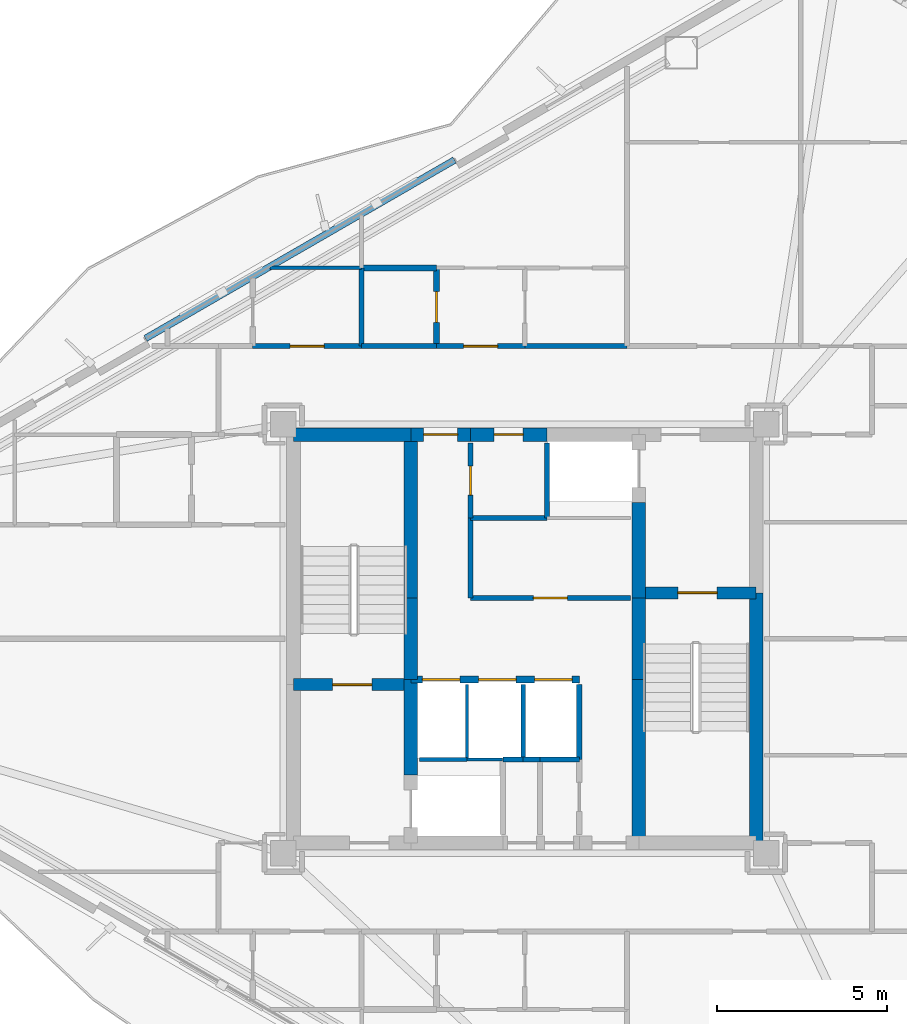
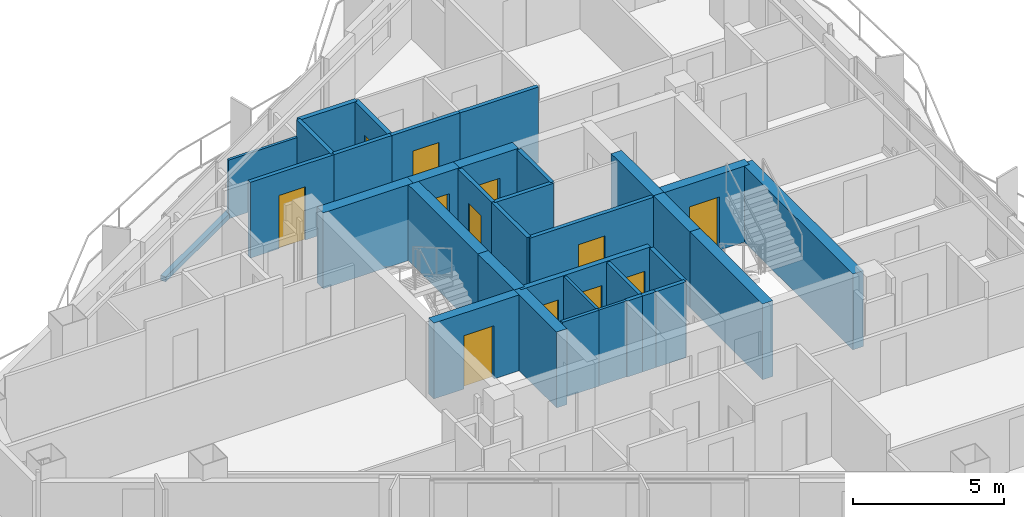
# One storey, part 14 of 18: 35 walls, 12 doors, 12 openings.
"""IFC4 building model written with IfcOpenShell, lengths in metres."""

from ifc_helpers import new_model, si_unit, direction, frame, frame_2d, origin, place, context, subcontext, project, spatial, rectangle, extrude, material, layer, layer_set, type_object, element, fill, save


model = new_model("IFC4")

# Units and contexts
model_context = context("Model", 3, precision=1e-05, world=origin(), true_north=direction((0.0, 1.0)))
body_context = subcontext(model_context, "Body", "Model", "MODEL_VIEW")
ifc_project = project(units=[si_unit("LENGTHUNIT", "METRE"), si_unit("AREAUNIT", "SQUARE_METRE"), si_unit("VOLUMEUNIT", "CUBIC_METRE"), si_unit("PLANEANGLEUNIT", "RADIAN"), si_unit("MASSUNIT", "GRAM", prefix="KILO")], contexts=[model_context])

# Site, building, storey
site_placement = place(None, origin())
site = spatial("IfcSite", under=ifc_project, at=site_placement, CompositionType="ELEMENT")
building_placement = place(site_placement, origin())
building = spatial("IfcBuilding", under=site, at=building_placement, Name="Mersakhor Tower and Convention Hall", CompositionType="ELEMENT")
storey_placement = place(building_placement, frame((0.0, 0.0, 154.199951171875)))
storey = spatial("IfcBuildingStorey", under=building, at=storey_placement, Name="L43", CompositionType="ELEMENT", Elevation=154.199951171875)

# Wall
ifc_material_1 = material(Name="Precast concrete C40/50", Category="concrete")
ifc_layer_1 = layer(ifc_material_1, 0.199951171875)
ifc_layer_set_1 = layer_set([ifc_layer_1], Name="Precast concrete C40/50")
wall_type_1 = type_object("IfcWallType", Name="WL-PAR-200", PredefinedType="PARAPET", material=ifc_layer_set_1)
wall_1_placement = place(storey_placement, frame((17.849853515625, 35.57666015625, 0.0), z_axis=(0.0, 0.0, 1.0), x_axis=(0.866026619769, 0.499997893847, 0.0)))
element("IfcWall", 1, at=wall_1_placement, inside=storey, type_object=wall_type_1, Name="L43 Curtain Wall Upstand Sill F1-B2", PredefinedType="PARAPET", context=body_context, shape_type="SweptSolid", body=[
    extrude(rectangle(XDim=10.48583984375, YDim=0.199951171875, at=frame_2d((5.242919921875, 0.0))), origin(), (0.0, 0.0, 1.0), 0.199951171875),
])

# Wall, opening, door
ifc_material_2 = material(Name="Moisture-resistant acoustic drywall studwork", Category="other")
ifc_layer_2 = layer(ifc_material_2, 0.175048828125)
ifc_layer_set_2 = layer_set([ifc_layer_2], Name="Moisture-resistant acoustic drywall studwork")
wall_type_2 = type_object("IfcWallType", Name="WL-PLM-175", PredefinedType="PLUMBINGWALL", material=ifc_layer_set_2)
wall_2_placement = place(storey_placement, frame((26.39990234375, 35.35009765625, 0.0), z_axis=(0.0, 0.0, 1.0), x_axis=(0.0, 1.0, 0.0)))
wall_2 = element("IfcWall", 2, at=wall_2_placement, inside=storey, type_object=wall_type_2, Name="L43 Interior Partition Wall P-054", PredefinedType="PLUMBINGWALL", context=body_context, shape_type="SweptSolid", body=[
    extrude(rectangle(XDim=2.2998046875, YDim=0.175048828125, at=frame_2d((1.14990234375, 0.0))), origin(), (0.0, 0.0, 1.0), 3.06005859375),
])
opening_1_placement = place(wall_2_placement, frame((0.699951171875, 0.0, 0.0)))
opening_1 = element("IfcOpeningElement", 3, at=opening_1_placement, cuts=wall_2, Name="Opening WD-01", PredefinedType="OPENING", context=body_context, shape_type="SweptSolid", body=[
    extrude(rectangle(XDim=0.89990234375, YDim=2.10009765625, at=frame_2d((0.449951171875, 1.050048828125))), frame((0.0, 0.097412109375, 0.0), z_axis=(0.0, -1.0, 0.0), x_axis=(1.0, 0.0, 0.0)), (0.0, 0.0, 1.0), 0.195068359375),
])
ifc_material_3 = material(Name="Solid-core hardwood leaf in painted steel frame", Category="steel")
door_type_1 = type_object("IfcDoorType", Name="DR-INT-WET-090x210", OperationType="NOTDEFINED", PredefinedType="DOOR", material=ifc_material_3)
door_1_placement = place(opening_1_placement, origin())
door_1 = element("IfcDoor", 4, at=door_1_placement, inside=storey, type_object=door_type_1, Name="L43 L43 Flat N2 Apartment Hall to L43 Flat N2 Bathroom Door", OperationType="SINGLE_SWING_RIGHT", OverallHeight=2.10009765625, OverallWidth=0.89990234375, PredefinedType="DOOR", context=body_context, shape_type="SweptSolid", body=[
    extrude(rectangle(XDim=0.89990234375, YDim=2.10009765625, at=frame_2d((0.449951171875, 1.050048828125))), frame((0.0, 0.02490234375, 0.0), z_axis=(0.0, -1.0, 0.0), x_axis=(1.0, 0.0, 0.0)), (0.0, 0.0, 1.0), 0.050048828125),
])
fill(opening_1, door_1)

# Walls
wall_3_placement = place(storey_placement, frame((24.199951171875, 37.64990234375, 0.0), z_axis=(0.0, 0.0, 1.0), x_axis=(1.0, 0.0, 0.0)))
element("IfcWall", 5, at=wall_3_placement, inside=storey, type_object=wall_type_2, Name="L43 Interior Partition Wall P-063", PredefinedType="PLUMBINGWALL", context=body_context, shape_type="SweptSolid", body=[
    extrude(rectangle(XDim=2.199951171875, YDim=0.175048828125, at=frame_2d((1.10009765625, 0.0))), origin(), (0.0, 0.0, 1.0), 3.06005859375),
])
ifc_material_4 = material(Name="Lightweight gypsum partition", Category="other")
ifc_layer_3 = layer(ifc_material_4, 0.10009765625)
ifc_layer_set_3 = layer_set([ifc_layer_3], Name="Lightweight gypsum partition")
wall_type_3 = type_object("IfcWallType", Name="WL-PRT-100", PredefinedType="PARTITIONING", material=ifc_layer_set_3)
wall_4_placement = place(storey_placement, frame((27.300048828125, 23.199951171875, 0.0), z_axis=(0.0, 0.0, 1.0), x_axis=(1.0, 0.0, 0.0)))
element("IfcWall", 6, at=wall_4_placement, inside=storey, type_object=wall_type_3, Name="L43 Interior Partition Wall P-002", PredefinedType="PARTITIONING", context=body_context, shape_type="SweptSolid", body=[
    extrude(rectangle(XDim=1.050048828125, YDim=0.10009765625, at=frame_2d((0.52490234375, 0.0))), origin(), (0.0, 0.0, 1.0), 3.06005859375),
])
wall_5_placement = place(storey_placement, frame((27.300048828125, 25.39990234375, 0.0), z_axis=(0.0, 0.0, 1.0), x_axis=(0.0, -1.0, 0.0)))
element("IfcWall", 7, at=wall_5_placement, inside=storey, type_object=wall_type_3, Name="L43 Interior Partition Wall P-006", PredefinedType="PARTITIONING", context=body_context, shape_type="SweptSolid", body=[
    extrude(rectangle(XDim=2.199951171875, YDim=0.10009765625, at=frame_2d((1.10009765625, 0.0))), origin(), (0.0, 0.0, 1.0), 3.06005859375),
])
wall_6_placement = place(storey_placement, frame((21.510009765625, 37.64990234375, 0.0), z_axis=(0.0, 0.0, 1.0), x_axis=(1.0, 0.0, 0.0)))
element("IfcWall", 8, at=wall_6_placement, inside=storey, type_object=wall_type_3, Name="L43 Interior Partition Wall P-110", PredefinedType="PARTITIONING", context=body_context, shape_type="SweptSolid", body=[
    extrude(rectangle(XDim=2.68994140625, YDim=0.10009765625, at=frame_2d((1.344970703125, 0.0))), origin(), (0.0, 0.0, 1.0), 2.364990234375),
])
ifc_material_5 = material(Name="Gypsum board acoustic partition", Category="other")
ifc_layer_4 = layer(ifc_material_5, 0.125)
ifc_layer_set_4 = layer_set([ifc_layer_4], Name="Gypsum board acoustic partition")
wall_type_4 = type_object("IfcWallType", Name="WL-PRT-125", PredefinedType="PARTITIONING", material=ifc_layer_set_4)
wall_7_placement = place(storey_placement, frame((25.89990234375, 23.199951171875, 0.0), z_axis=(0.0, 0.0, 1.0), x_axis=(1.0, 0.0, 0.0)))
element("IfcWall", 9, at=wall_7_placement, inside=storey, type_object=wall_type_4, Name="L43 Interior Partition Wall P-001", PredefinedType="PARTITIONING", context=body_context, shape_type="SweptSolid", body=[
    extrude(rectangle(XDim=1.400146484375, YDim=0.125, at=frame_2d((0.7001953125, 0.0))), origin(), (0.0, 0.0, 1.0), 3.06005859375),
])
wall_8_placement = place(storey_placement, frame((28.949951171875, 25.39990234375, 0.0), z_axis=(0.0, 0.0, 1.0), x_axis=(0.0, -1.0, 0.0)))
element("IfcWall", 10, at=wall_8_placement, inside=storey, type_object=wall_type_4, Name="L43 Interior Partition Wall P-007", PredefinedType="PARTITIONING", context=body_context, shape_type="SweptSolid", body=[
    extrude(rectangle(XDim=2.199951171875, YDim=0.125, at=frame_2d((1.10009765625, 0.0))), origin(), (0.0, 0.0, 1.0), 3.06005859375),
])
ifc_material_6 = material(Name="Fire-rated gypsum board stud partition", Category="other")
ifc_layer_5 = layer(ifc_material_6, 0.14990234375)
ifc_layer_set_5 = layer_set([ifc_layer_5], Name="Fire-rated gypsum board stud partition")
wall_type_5 = type_object("IfcWallType", Name="WL-PRT-150", PredefinedType="PARTITIONING", material=ifc_layer_set_5)
wall_9_placement = place(storey_placement, frame((29.64990234375, 30.300048828125, 0.0), z_axis=(0.0, 0.0, 1.0), x_axis=(0.0, 1.0, 0.0)))
element("IfcWall", 11, at=wall_9_placement, inside=storey, type_object=wall_type_5, Name="L43 Interior Partition Wall P-005", PredefinedType="PARTITIONING", context=body_context, shape_type="SweptSolid", body=[
    extrude(rectangle(XDim=2.199951171875, YDim=0.14990234375, at=frame_2d((1.10009765625, 0.0))), origin(), (0.0, 0.0, 1.0), 3.06005859375),
])
wall_10_placement = place(storey_placement, frame((28.949951171875, 23.199951171875, 0.0), z_axis=(0.0, 0.0, 1.0), x_axis=(-1.0, 0.0, 0.0)))
element("IfcWall", 12, at=wall_10_placement, inside=storey, type_object=wall_type_5, Name="L43 Interior Partition Wall P-008", PredefinedType="PARTITIONING", context=body_context, shape_type="SweptSolid", body=[
    extrude(rectangle(XDim=0.599853515625, YDim=0.14990234375, at=frame_2d((0.2998046875, 0.0))), origin(), (0.0, 0.0, 1.0), 3.06005859375),
])
wall_11_placement = place(storey_placement, frame((30.60009765625, 25.39990234375, 0.0), z_axis=(0.0, 0.0, 1.0), x_axis=(0.0, -1.0, 0.0)))
element("IfcWall", 13, at=wall_11_placement, inside=storey, type_object=wall_type_5, Name="L43 Interior Partition Wall P-009", PredefinedType="PARTITIONING", context=body_context, shape_type="SweptSolid", body=[
    extrude(rectangle(XDim=2.199951171875, YDim=0.14990234375, at=frame_2d((1.10009765625, 0.0))), origin(), (0.0, 0.0, 1.0), 3.06005859375),
])
wall_12_placement = place(storey_placement, frame((30.60009765625, 23.199951171875, 0.0), z_axis=(0.0, 0.0, 1.0), x_axis=(-1.0, 0.0, 0.0)))
element("IfcWall", 14, at=wall_12_placement, inside=storey, type_object=wall_type_5, Name="L43 Interior Partition Wall P-010", PredefinedType="PARTITIONING", context=body_context, shape_type="SweptSolid", body=[
    extrude(rectangle(XDim=1.150146484375, YDim=0.14990234375, at=frame_2d((0.5751953125, 0.0))), origin(), (0.0, 0.0, 1.0), 3.06005859375),
])
wall_13_placement = place(storey_placement, frame((29.449951171875, 23.199951171875, 0.0), z_axis=(0.0, 0.0, 1.0), x_axis=(-1.0, 0.0, 0.0)))
element("IfcWall", 15, at=wall_13_placement, inside=storey, type_object=wall_type_5, Name="L43 Interior Partition Wall P-011", PredefinedType="PARTITIONING", context=body_context, shape_type="SweptSolid", body=[
    extrude(rectangle(XDim=0.5, YDim=0.14990234375, at=frame_2d((0.25, 0.0))), origin(), (0.0, 0.0, 1.0), 3.06005859375),
])

# Wall, opening, door
wall_14_placement = place(storey_placement, frame((27.39990234375, 32.5, 0.0), z_axis=(0.0, 0.0, 1.0), x_axis=(0.0, -1.0, 0.0)))
wall_14 = element("IfcWall", 16, at=wall_14_placement, inside=storey, type_object=wall_type_5, Name="L43 Interior Partition Wall P-013", PredefinedType="PARTITIONING", context=body_context, shape_type="SweptSolid", body=[
    extrude(rectangle(XDim=2.199951171875, YDim=0.14990234375, at=frame_2d((1.10009765625, 0.0))), origin(), (0.0, 0.0, 1.0), 3.06005859375),
])
opening_2_placement = place(wall_14_placement, frame((0.675048828125, 0.0, 0.0)))
opening_2 = element("IfcOpeningElement", 17, at=opening_2_placement, cuts=wall_14, Name="Opening SVD-01", PredefinedType="OPENING", context=body_context, shape_type="SweptSolid", body=[
    extrude(rectangle(XDim=0.85009765625, YDim=2.10009765625, at=frame_2d((0.425048828125, 1.050048828125))), frame((0.0, 0.0849609375, 0.0), z_axis=(0.0, -1.0, 0.0), x_axis=(1.0, 0.0, 0.0)), (0.0, 0.0, 1.0), 0.169921875),
])
ifc_material_7 = material(Name="Fire-rated hardwood leaf and painted steel frame", Category="steel")
door_type_2 = type_object("IfcDoorType", Name="DR-INT-SVC-085x210", OperationType="NOTDEFINED", PredefinedType="DOOR", material=ifc_material_7)
door_2_placement = place(opening_2_placement, origin())
door_2 = element("IfcDoor", 18, at=door_2_placement, inside=storey, type_object=door_type_2, Name="L43 Central Passenger Lift Lobby to High-Zone Telecoms Room Door", OperationType="SINGLE_SWING_RIGHT", OverallHeight=2.10009765625, OverallWidth=0.85009765625, PredefinedType="DOOR", context=body_context, shape_type="SweptSolid", body=[
    extrude(rectangle(XDim=0.85009765625, YDim=2.10009765625, at=frame_2d((0.425048828125, 1.050048828125))), frame((0.0, 0.02490234375, 0.0), z_axis=(0.0, -1.0, 0.0), x_axis=(1.0, 0.0, 0.0)), (0.0, 0.0, 1.0), 0.050048828125),
])
fill(opening_2, door_2)

# Wall
wall_15_placement = place(storey_placement, frame((27.39990234375, 30.300048828125, 0.0), z_axis=(0.0, 0.0, 1.0), x_axis=(0.0, -1.0, 0.0)))
element("IfcWall", 19, at=wall_15_placement, inside=storey, type_object=wall_type_5, Name="L43 Interior Partition Wall P-014", PredefinedType="PARTITIONING", context=body_context, shape_type="SweptSolid", body=[
    extrude(rectangle(XDim=2.35009765625, YDim=0.14990234375, at=frame_2d((1.175048828125, 0.0))), origin(), (0.0, 0.0, 1.0), 3.06005859375),
])

# Wall, opening, door
wall_16_placement = place(storey_placement, frame((27.39990234375, 27.949951171875, 0.0), z_axis=(0.0, 0.0, 1.0), x_axis=(1.0, 0.0, 0.0)))
wall_16 = element("IfcWall", 20, at=wall_16_placement, inside=storey, type_object=wall_type_5, Name="L43 Interior Partition Wall P-015", PredefinedType="PARTITIONING", context=body_context, shape_type="SweptSolid", body=[
    extrude(rectangle(XDim=4.7001953125, YDim=0.14990234375, at=frame_2d((2.35009765625, 0.0))), origin(), (0.0, 0.0, 1.0), 3.06005859375),
])
opening_3_placement = place(wall_16_placement, frame((1.85009765625, 0.0, 0.0)))
opening_3 = element("IfcOpeningElement", 21, at=opening_3_placement, cuts=wall_16, Name="Opening FD-01", PredefinedType="OPENING", context=body_context, shape_type="SweptSolid", body=[
    extrude(rectangle(XDim=1.0, YDim=2.14990234375, at=frame_2d((0.5, 1.074951171875))), frame((0.0, 0.0849609375, 0.0), z_axis=(0.0, -1.0, 0.0), x_axis=(1.0, 0.0, 0.0)), (0.0, 0.0, 1.0), 0.169921875),
])
ifc_material_8 = material(Name="Fire-rated hardwood leaf and painted steel frame", Category="steel")
door_type_3 = type_object("IfcDoorType", Name="DR-INT-FLT-100x215", OperationType="NOTDEFINED", PredefinedType="DOOR", material=ifc_material_8)
door_3_placement = place(opening_3_placement, origin())
door_3 = element("IfcDoor", 22, at=door_3_placement, inside=storey, type_object=door_type_3, Name="L43 Central Passenger Lift Lobby to Shared Floor Tea Pantry Door", OperationType="SINGLE_SWING_LEFT", OverallHeight=2.14990234375, OverallWidth=1.0, PredefinedType="DOOR", context=body_context, shape_type="SweptSolid", body=[
    extrude(rectangle(XDim=1.0, YDim=2.14990234375, at=frame_2d((0.5, 1.074951171875))), frame((0.0, 0.02490234375, 0.0), z_axis=(0.0, -1.0, 0.0), x_axis=(1.0, 0.0, 0.0)), (0.0, 0.0, 1.0), 0.050048828125),
])
fill(opening_3, door_3)

wall_17_placement = place(storey_placement, frame((21.0, 35.35009765625, 0.0), z_axis=(0.0, 0.0, 1.0), x_axis=(1.0, 0.0, 0.0)))
wall_17 = element("IfcWall", 23, at=wall_17_placement, inside=storey, type_object=wall_type_5, Name="L43 Interior Partition Wall P-023", PredefinedType="PARTITIONING", context=body_context, shape_type="SweptSolid", body=[
    extrude(rectangle(XDim=3.199951171875, YDim=0.14990234375, at=frame_2d((1.60009765625, 0.0))), origin(), (0.0, 0.0, 1.0), 3.06005859375),
])
opening_4_placement = place(wall_17_placement, frame((1.10009765625, 0.0, 0.0)))
opening_4 = element("IfcOpeningElement", 24, at=opening_4_placement, cuts=wall_17, Name="Opening FD-01", PredefinedType="OPENING", context=body_context, shape_type="SweptSolid", body=[
    extrude(rectangle(XDim=1.0, YDim=2.14990234375, at=frame_2d((0.5, 1.074951171875))), frame((0.0, 0.0849609375, 0.0), z_axis=(0.0, -1.0, 0.0), x_axis=(1.0, 0.0, 0.0)), (0.0, 0.0, 1.0), 0.169921875),
])
door_4_placement = place(opening_4_placement, origin())
door_4 = element("IfcDoor", 25, at=door_4_placement, inside=storey, type_object=door_type_3, Name="L43 Residential North Gallery Corridor to L43 Floor Shared Tea Pantry 1-2 Door", OperationType="SINGLE_SWING_RIGHT", OverallHeight=2.14990234375, OverallWidth=1.0, PredefinedType="DOOR", context=body_context, shape_type="SweptSolid", body=[
    extrude(rectangle(XDim=1.0, YDim=2.14990234375, at=frame_2d((0.5, 1.074951171875))), frame((0.0, 0.02490234375, 0.0), z_axis=(0.0, -1.0, 0.0), x_axis=(1.0, 0.0, 0.0)), (0.0, 0.0, 1.0), 0.050048828125),
])
fill(opening_4, door_4)

# Wall
wall_18_placement = place(storey_placement, frame((24.199951171875, 35.35009765625, 0.0), z_axis=(0.0, 0.0, 1.0), x_axis=(1.0, 0.0, 0.0)))
element("IfcWall", 26, at=wall_18_placement, inside=storey, type_object=wall_type_5, Name="L43 Interior Partition Wall P-024", PredefinedType="PARTITIONING", context=body_context, shape_type="SweptSolid", body=[
    extrude(rectangle(XDim=2.199951171875, YDim=0.14990234375, at=frame_2d((1.10009765625, 0.0))), origin(), (0.0, 0.0, 1.0), 3.06005859375),
])

# Wall, opening, door
wall_19_placement = place(storey_placement, frame((26.39990234375, 35.35009765625, 0.0), z_axis=(0.0, 0.0, 1.0), x_axis=(1.0, 0.0, 0.0)))
wall_19 = element("IfcWall", 27, at=wall_19_placement, inside=storey, type_object=wall_type_5, Name="L43 Interior Partition Wall P-025", PredefinedType="PARTITIONING", context=body_context, shape_type="SweptSolid", body=[
    extrude(rectangle(XDim=2.60009765625, YDim=0.14990234375, at=frame_2d((1.300048828125, 0.0))), origin(), (0.0, 0.0, 1.0), 3.06005859375),
])
opening_5_placement = place(wall_19_placement, frame((0.800048828125, 0.0, 0.0)))
opening_5 = element("IfcOpeningElement", 28, at=opening_5_placement, cuts=wall_19, Name="Opening FD-01", PredefinedType="OPENING", context=body_context, shape_type="SweptSolid", body=[
    extrude(rectangle(XDim=1.0, YDim=2.14990234375, at=frame_2d((0.5, 1.074951171875))), frame((0.0, 0.0849609375, 0.0), z_axis=(0.0, -1.0, 0.0), x_axis=(1.0, 0.0, 0.0)), (0.0, 0.0, 1.0), 0.169921875),
])
door_5_placement = place(opening_5_placement, origin())
door_5 = element("IfcDoor", 29, at=door_5_placement, inside=storey, type_object=door_type_3, Name="L43 Apartment Entrance Door (Residential North Gallery Corridor to L43 Flat N2 Apartment Hall)", OperationType="SINGLE_SWING_RIGHT", OverallHeight=2.14990234375, OverallWidth=1.0, PredefinedType="DOOR", context=body_context, shape_type="SweptSolid", body=[
    extrude(rectangle(XDim=1.0, YDim=2.14990234375, at=frame_2d((0.5, 1.074951171875))), frame((0.0, 0.02490234375, 0.0), z_axis=(0.0, -1.0, 0.0), x_axis=(1.0, 0.0, 0.0)), (0.0, 0.0, 1.0), 0.050048828125),
])
fill(opening_5, door_5)

# Walls
wall_20_placement = place(storey_placement, frame((29.0, 35.35009765625, 0.0), z_axis=(0.0, 0.0, 1.0), x_axis=(1.0, 0.0, 0.0)))
element("IfcWall", 30, at=wall_20_placement, inside=storey, type_object=wall_type_5, Name="L43 Interior Partition Wall P-026", PredefinedType="PARTITIONING", context=body_context, shape_type="SweptSolid", body=[
    extrude(rectangle(XDim=3.0, YDim=0.14990234375, at=frame_2d((1.5, 0.0))), origin(), (0.0, 0.0, 1.0), 3.06005859375),
])
wall_21_placement = place(storey_placement, frame((24.199951171875, 35.35009765625, 0.0), z_axis=(0.0, 0.0, 1.0), x_axis=(0.0, 1.0, 0.0)))
element("IfcWall", 31, at=wall_21_placement, inside=storey, type_object=wall_type_5, Name="L43 Interior Partition Wall P-064", PredefinedType="PARTITIONING", context=body_context, shape_type="SweptSolid", body=[
    extrude(rectangle(XDim=2.2998046875, YDim=0.14990234375, at=frame_2d((1.14990234375, 0.0))), origin(), (0.0, 0.0, 1.0), 3.06005859375),
])
wall_22_placement = place(storey_placement, frame((27.39990234375, 30.300048828125, 0.0), z_axis=(0.0, 0.0, 1.0), x_axis=(1.0, 0.0, 0.0)))
element("IfcWall", 32, at=wall_22_placement, inside=storey, type_object=wall_type_5, Name="L43 Interior Partition Wall P-077", PredefinedType="PARTITIONING", context=body_context, shape_type="SweptSolid", body=[
    extrude(rectangle(XDim=2.25, YDim=0.14990234375, at=frame_2d((1.125, 0.0))), origin(), (0.0, 0.0, 1.0), 3.06005859375),
])

# Wall, openings, doors
ifc_material_9 = material(Name="Acoustic concrete blockwork and gypsum board", Category="masonry")
ifc_layer_6 = layer(ifc_material_9, 0.199951171875)
ifc_layer_set_6 = layer_set([ifc_layer_6], Name="Acoustic concrete blockwork and gypsum board")
wall_type_6 = type_object("IfcWallType", Name="WL-PRT-200", PredefinedType="PARTITIONING", material=ifc_layer_set_6)
wall_23_placement = place(storey_placement, frame((25.64990234375, 25.550048828125, 0.0), z_axis=(0.0, 0.0, 1.0), x_axis=(1.0, 0.0, 0.0)))
wall_23 = element("IfcWall", 33, at=wall_23_placement, inside=storey, type_object=wall_type_6, Name="L43 High-Rise Lift Bank Front Wall", PredefinedType="PARTITIONING", context=body_context, shape_type="SweptSolid", body=[
    extrude(rectangle(XDim=4.9501953125, YDim=0.199951171875, at=frame_2d((2.47509765625, 0.0))), origin(), (0.0, 0.0, 1.0), 3.06005859375),
])
opening_6_placement = place(wall_23_placement, frame((0.340087890625, 0.0, 0.0)))
opening_6 = element("IfcOpeningElement", 34, at=opening_6_placement, cuts=wall_23, Name="Opening LD-P4", PredefinedType="OPENING", context=body_context, shape_type="SweptSolid", body=[
    extrude(rectangle(XDim=1.10009765625, YDim=2.14990234375, at=frame_2d((0.550048828125, 1.074951171875))), frame((0.0, 0.10986328125, 0.0), z_axis=(0.0, -1.0, 0.0), x_axis=(1.0, 0.0, 0.0)), (0.0, 0.0, 1.0), 0.219970703125),
])
opening_7_placement = place(wall_23_placement, frame((1.989990234375, 0.0, 0.0)))
opening_7 = element("IfcOpeningElement", 35, at=opening_7_placement, cuts=wall_23, Name="Opening LD-P5", PredefinedType="OPENING", context=body_context, shape_type="SweptSolid", body=[
    extrude(rectangle(XDim=1.10009765625, YDim=2.14990234375, at=frame_2d((0.550048828125, 1.074951171875))), frame((0.0, 0.10986328125, 0.0), z_axis=(0.0, -1.0, 0.0), x_axis=(1.0, 0.0, 0.0)), (0.0, 0.0, 1.0), 0.219970703125),
])
opening_8_placement = place(wall_23_placement, frame((3.639892578125, 0.0, 0.0)))
opening_8 = element("IfcOpeningElement", 36, at=opening_8_placement, cuts=wall_23, Name="Opening LD-P6", PredefinedType="OPENING", context=body_context, shape_type="SweptSolid", body=[
    extrude(rectangle(XDim=1.10009765625, YDim=2.14990234375, at=frame_2d((0.550048828125, 1.074951171875))), frame((0.0, 0.10986328125, 0.0), z_axis=(0.0, -1.0, 0.0), x_axis=(1.0, 0.0, 0.0)), (0.0, 0.0, 1.0), 0.219970703125),
])
ifc_material_10 = material(Name="Fire-rated brushed stainless steel sliding landing door", Category="steel")
door_type_4 = type_object("IfcDoorType", Name="DR-LIFT-SLD-110x215", OperationType="NOTDEFINED", PredefinedType="DOOR", material=ifc_material_10)
door_6_placement = place(opening_6_placement, origin())
door_6 = element("IfcDoor", 37, at=door_6_placement, inside=storey, type_object=door_type_4, Name="L43 Lift Landing Door LD-P4", OperationType="SLIDING_TO_LEFT", OverallHeight=2.14990234375, OverallWidth=1.10009765625, PredefinedType="DOOR", context=body_context, shape_type="SweptSolid", body=[
    extrude(rectangle(XDim=1.10009765625, YDim=2.14990234375, at=frame_2d((0.550048828125, 1.074951171875))), frame((0.0, 0.02490234375, 0.0), z_axis=(0.0, -1.0, 0.0), x_axis=(1.0, 0.0, 0.0)), (0.0, 0.0, 1.0), 0.050048828125),
])
fill(opening_6, door_6)
door_7_placement = place(opening_7_placement, origin())
door_7 = element("IfcDoor", 38, at=door_7_placement, inside=storey, type_object=door_type_4, Name="L43 Lift Landing Door LD-P5", OperationType="SLIDING_TO_LEFT", OverallHeight=2.14990234375, OverallWidth=1.10009765625, PredefinedType="DOOR", context=body_context, shape_type="SweptSolid", body=[
    extrude(rectangle(XDim=1.10009765625, YDim=2.14990234375, at=frame_2d((0.550048828125, 1.074951171875))), frame((0.0, 0.02490234375, 0.0), z_axis=(0.0, -1.0, 0.0), x_axis=(1.0, 0.0, 0.0)), (0.0, 0.0, 1.0), 0.050048828125),
])
fill(opening_7, door_7)
door_8_placement = place(opening_8_placement, origin())
door_8 = element("IfcDoor", 39, at=door_8_placement, inside=storey, type_object=door_type_4, Name="L43 Lift Landing Door LD-P6", OperationType="SLIDING_TO_LEFT", OverallHeight=2.14990234375, OverallWidth=1.10009765625, PredefinedType="DOOR", context=body_context, shape_type="SweptSolid", body=[
    extrude(rectangle(XDim=1.10009765625, YDim=2.14990234375, at=frame_2d((0.550048828125, 1.074951171875))), frame((0.0, 0.02490234375, 0.0), z_axis=(0.0, -1.0, 0.0), x_axis=(1.0, 0.0, 0.0)), (0.0, 0.0, 1.0), 0.050048828125),
])
fill(opening_8, door_8)

# Wall, opening, door
ifc_material_11 = material(Name="Concrete C50/60", Category="concrete")
ifc_layer_7 = layer(ifc_material_11, 0.35009765625)
ifc_layer_set_7 = layer_set([ifc_layer_7], Name="Concrete C50/60")
wall_type_7 = type_object("IfcWallType", Name="WL-SHR-350", PredefinedType="SHEAR", material=ifc_layer_set_7)
wall_24_placement = place(storey_placement, frame((22.199951171875, 25.39990234375, 0.0), z_axis=(0.0, 0.0, 1.0), x_axis=(1.0, 0.0, 0.0)))
wall_24 = element("IfcWall", 40, at=wall_24_placement, inside=storey, type_object=wall_type_7, Name="L43 Core Wall CS-ST1-S", PredefinedType="SHEAR", context=body_context, shape_type="SweptSolid", body=[
    extrude(rectangle(XDim=3.449951171875, YDim=0.35009765625, at=frame_2d((1.72509765625, 0.0))), origin(), (0.0, 0.0, 1.0), 3.06005859375),
])
opening_9_placement = place(wall_24_placement, frame((1.14990234375, 0.0, 0.0)))
opening_9 = element("IfcOpeningElement", 41, at=opening_9_placement, cuts=wall_24, Name="Opening SD-01", PredefinedType="OPENING", context=body_context, shape_type="SweptSolid", body=[
    extrude(rectangle(XDim=1.14990234375, YDim=2.14990234375, at=frame_2d((0.574951171875, 1.074951171875))), frame((0.0, 0.18505859375, 0.0), z_axis=(0.0, -1.0, 0.0), x_axis=(1.0, 0.0, 0.0)), (0.0, 0.0, 1.0), 0.3701171875),
])
ifc_material_12 = material(Name="Fire-rated hardwood leaf and painted steel frame", Category="steel")
door_type_5 = type_object("IfcDoorType", Name="DR-INT-STAIR-115x215", OperationType="NOTDEFINED", PredefinedType="DOOR", material=ifc_material_12)
door_9_placement = place(opening_9_placement, origin())
door_9 = element("IfcDoor", 42, at=door_9_placement, inside=storey, type_object=door_type_5, Name="L43 Exit Stair ST-1 Enclosure Door", OperationType="SINGLE_SWING_LEFT", OverallHeight=2.14990234375, OverallWidth=1.14990234375, PredefinedType="DOOR", context=body_context, shape_type="SweptSolid", body=[
    extrude(rectangle(XDim=1.14990234375, YDim=2.14990234375, at=frame_2d((0.574951171875, 1.074951171875))), frame((0.0, 0.02490234375, 0.0), z_axis=(0.0, -1.0, 0.0), x_axis=(1.0, 0.0, 0.0)), (0.0, 0.0, 1.0), 0.050048828125),
])
fill(opening_9, door_9)

wall_25_placement = place(storey_placement, frame((32.35009765625, 28.10009765625, 0.0), z_axis=(0.0, 0.0, 1.0), x_axis=(1.0, 0.0, 0.0)))
wall_25 = element("IfcWall", 43, at=wall_25_placement, inside=storey, type_object=wall_type_7, Name="L43 Core Wall CS-ST2-N", PredefinedType="SHEAR", context=body_context, shape_type="SweptSolid", body=[
    extrude(rectangle(XDim=3.449951171875, YDim=0.35009765625, at=frame_2d((1.72509765625, 0.0))), origin(), (0.0, 0.0, 1.0), 3.06005859375),
])
opening_10_placement = place(wall_25_placement, frame((1.14990234375, 0.0, 0.0)))
opening_10 = element("IfcOpeningElement", 44, at=opening_10_placement, cuts=wall_25, Name="Opening SD-01", PredefinedType="OPENING", context=body_context, shape_type="SweptSolid", body=[
    extrude(rectangle(XDim=1.14990234375, YDim=2.14990234375, at=frame_2d((0.574951171875, 1.074951171875))), frame((0.0, 0.18505859375, 0.0), z_axis=(0.0, -1.0, 0.0), x_axis=(1.0, 0.0, 0.0)), (0.0, 0.0, 1.0), 0.3701171875),
])
door_10_placement = place(opening_10_placement, origin())
door_10 = element("IfcDoor", 45, at=door_10_placement, inside=storey, type_object=door_type_5, Name="L43 Exit Stair ST-2 Enclosure Door", OperationType="SINGLE_SWING_RIGHT", OverallHeight=2.14990234375, OverallWidth=1.14990234375, PredefinedType="DOOR", context=body_context, shape_type="SweptSolid", body=[
    extrude(rectangle(XDim=1.14990234375, YDim=2.14990234375, at=frame_2d((0.574951171875, 1.074951171875))), frame((0.0, 0.02490234375, 0.0), z_axis=(0.0, -1.0, 0.0), x_axis=(1.0, 0.0, 0.0)), (0.0, 0.0, 1.0), 0.050048828125),
])
fill(opening_10, door_10)

# Wall
ifc_material_13 = material(Name="Concrete C60/75", Category="concrete")
ifc_layer_8 = layer(ifc_material_13, 0.39990234375)
ifc_layer_set_8 = layer_set([ifc_layer_8], Name="Concrete C60/75")
wall_type_8 = type_object("IfcWallType", Name="WL-SHR-400", PredefinedType="SHEAR", material=ifc_layer_set_8)
wall_26_placement = place(storey_placement, frame((22.199951171875, 32.75, 0.0), z_axis=(0.0, 0.0, 1.0), x_axis=(1.0, 0.0, 0.0)))
element("IfcWall", 46, at=wall_26_placement, inside=storey, type_object=wall_type_8, Name="L43 Core Wall CW-N1", PredefinedType="SHEAR", context=body_context, shape_type="SweptSolid", body=[
    extrude(rectangle(XDim=3.449951171875, YDim=0.39990234375, at=frame_2d((1.72509765625, 0.0))), origin(), (0.0, 0.0, 1.0), 3.06005859375),
])

# Wall, opening, door
wall_27_placement = place(storey_placement, frame((25.64990234375, 32.75, 0.0), z_axis=(0.0, 0.0, 1.0), x_axis=(1.0, 0.0, 0.0)))
wall_27 = element("IfcWall", 47, at=wall_27_placement, inside=storey, type_object=wall_type_8, Name="L43 Core Wall CW-N2A", PredefinedType="SHEAR", context=body_context, shape_type="SweptSolid", body=[
    extrude(rectangle(XDim=1.75, YDim=0.39990234375, at=frame_2d((0.875, 0.0))), origin(), (0.0, 0.0, 1.0), 3.06005859375),
])
opening_11_placement = place(wall_27_placement, frame((0.375, 0.0, 0.0)))
opening_11 = element("IfcOpeningElement", 48, at=opening_11_placement, cuts=wall_27, Name="Opening CFD-01", PredefinedType="OPENING", context=body_context, shape_type="SweptSolid", body=[
    extrude(rectangle(XDim=1.0, YDim=2.14990234375, at=frame_2d((0.5, 1.074951171875))), frame((0.0, 0.2099609375, 0.0), z_axis=(0.0, -1.0, 0.0), x_axis=(1.0, 0.0, 0.0)), (0.0, 0.0, 1.0), 0.419921875),
])
ifc_material_14 = material(Name="Fire-rated hardwood leaf and painted steel frame", Category="steel")
door_type_6 = type_object("IfcDoorType", Name="DR-CORE-FD-100x215", OperationType="NOTDEFINED", PredefinedType="DOOR", material=ifc_material_14)
door_11_placement = place(opening_11_placement, origin())
door_11 = element("IfcDoor", 49, at=door_11_placement, inside=storey, type_object=door_type_6, Name="L43 Lift Lobby North Corridor Door", OperationType="SINGLE_SWING_LEFT", OverallHeight=2.14990234375, OverallWidth=1.0, PredefinedType="DOOR", context=body_context, shape_type="SweptSolid", body=[
    extrude(rectangle(XDim=1.0, YDim=2.14990234375, at=frame_2d((0.5, 1.074951171875))), frame((0.0, 0.02490234375, 0.0), z_axis=(0.0, -1.0, 0.0), x_axis=(1.0, 0.0, 0.0)), (0.0, 0.0, 1.0), 0.050048828125),
])
fill(opening_11, door_11)

wall_28_placement = place(storey_placement, frame((27.39990234375, 32.75, 0.0), z_axis=(0.0, 0.0, 1.0), x_axis=(1.0, 0.0, 0.0)))
wall_28 = element("IfcWall", 50, at=wall_28_placement, inside=storey, type_object=wall_type_8, Name="L43 Core Wall CW-N2B", PredefinedType="SHEAR", context=body_context, shape_type="SweptSolid", body=[
    extrude(rectangle(XDim=2.25, YDim=0.39990234375, at=frame_2d((1.125, 0.0))), origin(), (0.0, 0.0, 1.0), 3.06005859375),
])
opening_12_placement = place(wall_28_placement, frame((0.699951171875, 0.0, 0.0)))
opening_12 = element("IfcOpeningElement", 51, at=opening_12_placement, cuts=wall_28, Name="Opening SVD-01", PredefinedType="OPENING", context=body_context, shape_type="SweptSolid", body=[
    extrude(rectangle(XDim=0.85009765625, YDim=2.10009765625, at=frame_2d((0.425048828125, 1.050048828125))), frame((0.0, 0.2099609375, 0.0), z_axis=(0.0, -1.0, 0.0), x_axis=(1.0, 0.0, 0.0)), (0.0, 0.0, 1.0), 0.419921875),
])
door_12_placement = place(opening_12_placement, origin())
door_12 = element("IfcDoor", 52, at=door_12_placement, inside=storey, type_object=door_type_2, Name="L43 Residential North Gallery Corridor to High-Zone Telecoms Room Door", OperationType="SINGLE_SWING_RIGHT", OverallHeight=2.10009765625, OverallWidth=0.85009765625, PredefinedType="DOOR", context=body_context, shape_type="SweptSolid", body=[
    extrude(rectangle(XDim=0.85009765625, YDim=2.10009765625, at=frame_2d((0.425048828125, 1.050048828125))), frame((0.0, 0.02490234375, 0.0), z_axis=(0.0, -1.0, 0.0), x_axis=(1.0, 0.0, 0.0)), (0.0, 0.0, 1.0), 0.050048828125),
])
fill(opening_12, door_12)

# Walls
wall_29_placement = place(storey_placement, frame((35.800048828125, 28.10009765625, 0.0), z_axis=(0.0, 0.0, 1.0), x_axis=(0.0, -1.0, 0.0)))
element("IfcWall", 53, at=wall_29_placement, inside=storey, type_object=wall_type_8, Name="L43 Core Wall CW-E2", PredefinedType="SHEAR", context=body_context, shape_type="SweptSolid", body=[
    extrude(rectangle(XDim=7.35009765625, YDim=0.39990234375, at=frame_2d((3.675048828125, 0.0))), origin(), (0.0, 0.0, 1.0), 3.06005859375),
])
wall_30_placement = place(storey_placement, frame((25.64990234375, 22.75, 0.0), z_axis=(0.0, 0.0, 1.0), x_axis=(0.0, 1.0, 0.0)))
element("IfcWall", 54, at=wall_30_placement, inside=storey, type_object=wall_type_8, Name="L43 Core Wall CS-W-MID", PredefinedType="SHEAR", context=body_context, shape_type="SweptSolid", body=[
    extrude(rectangle(XDim=2.800048828125, YDim=0.39990234375, at=frame_2d((1.39990234375, 0.0))), origin(), (0.0, 0.0, 1.0), 3.06005859375),
])
wall_31_placement = place(storey_placement, frame((25.64990234375, 25.550048828125, 0.0), z_axis=(0.0, 0.0, 1.0), x_axis=(0.0, 1.0, 0.0)))
element("IfcWall", 55, at=wall_31_placement, inside=storey, type_object=wall_type_8, Name="L43 Core Wall CS-W-LOB", PredefinedType="SHEAR", context=body_context, shape_type="SweptSolid", body=[
    extrude(rectangle(XDim=2.39990234375, YDim=0.39990234375, at=frame_2d((1.199951171875, 0.0))), origin(), (0.0, 0.0, 1.0), 3.06005859375),
])
for number, where, z_axis, x_axis, name in (
    (56, (25.64990234375, 27.949951171875, 0.0), (0.0, 0.0, 1.0), (0.0, 1.0, 0.0), "L43 Core Wall CS-W-ST1"),
    (57, (32.35009765625, 20.75, 0.0), (0.0, 0.0, 1.0), (0.0, 1.0, 0.0), "L43 Core Wall CS-E-ST2"),
):
    element("IfcWall", number, at=place(storey_placement, frame(where, z_axis=z_axis, x_axis=x_axis)), inside=storey, type_object=wall_type_8, Name=name, PredefinedType="SHEAR", context=body_context, shape_type="SweptSolid", body=[
        extrude(rectangle(XDim=4.800048828125, YDim=0.39990234375, at=frame_2d((2.39990234375, 0.0))), origin(), (0.0, 0.0, 1.0), 3.06005859375),
    ])
wall_32_placement = place(storey_placement, frame((32.35009765625, 25.550048828125, 0.0), z_axis=(0.0, 0.0, 1.0), x_axis=(0.0, 1.0, 0.0)))
element("IfcWall", 58, at=wall_32_placement, inside=storey, type_object=wall_type_8, Name="L43 Core Wall CS-E-LOB", PredefinedType="SHEAR", context=body_context, shape_type="SweptSolid", body=[
    extrude(rectangle(XDim=2.39990234375, YDim=0.39990234375, at=frame_2d((1.199951171875, 0.0))), origin(), (0.0, 0.0, 1.0), 3.06005859375),
])
wall_33_placement = place(storey_placement, frame((32.35009765625, 27.949951171875, 0.0), z_axis=(0.0, 0.0, 1.0), x_axis=(0.0, 1.0, 0.0)))
element("IfcWall", 59, at=wall_33_placement, inside=storey, type_object=wall_type_8, Name="L43 Core Wall CS-E-MID", PredefinedType="SHEAR", context=body_context, shape_type="SweptSolid", body=[
    extrude(rectangle(XDim=2.800048828125, YDim=0.39990234375, at=frame_2d((1.39990234375, 0.0))), origin(), (0.0, 0.0, 1.0), 3.06005859375),
])

save(model, "model.ifc")
